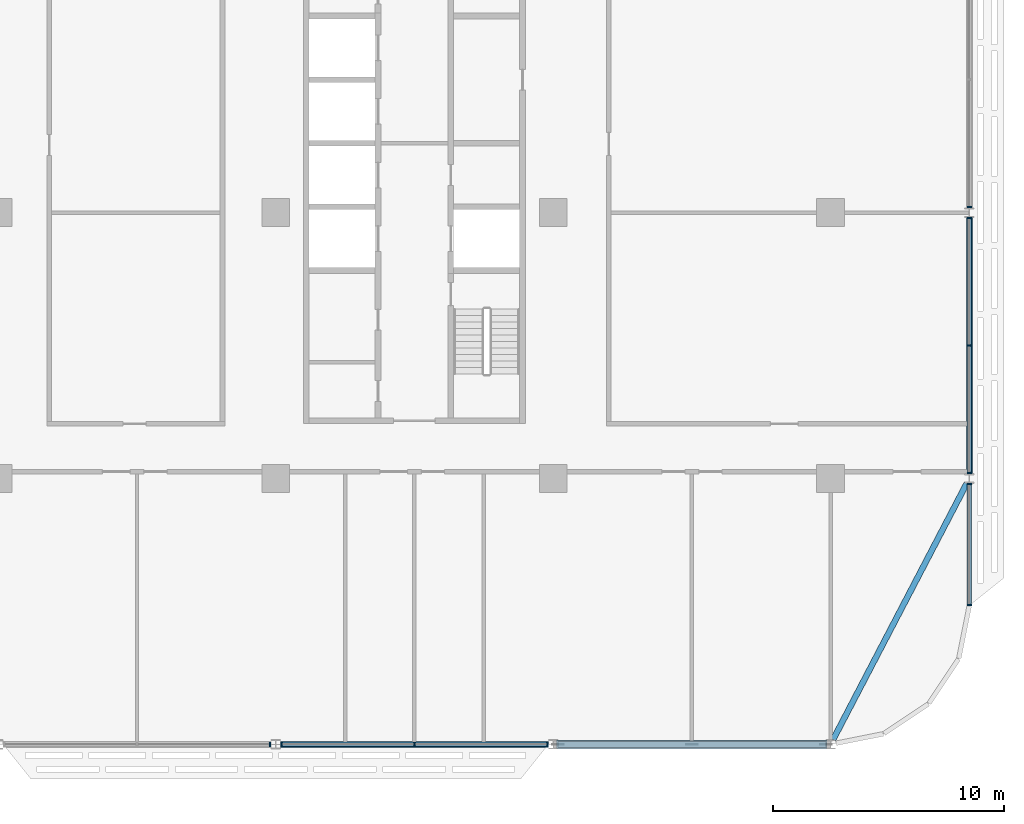
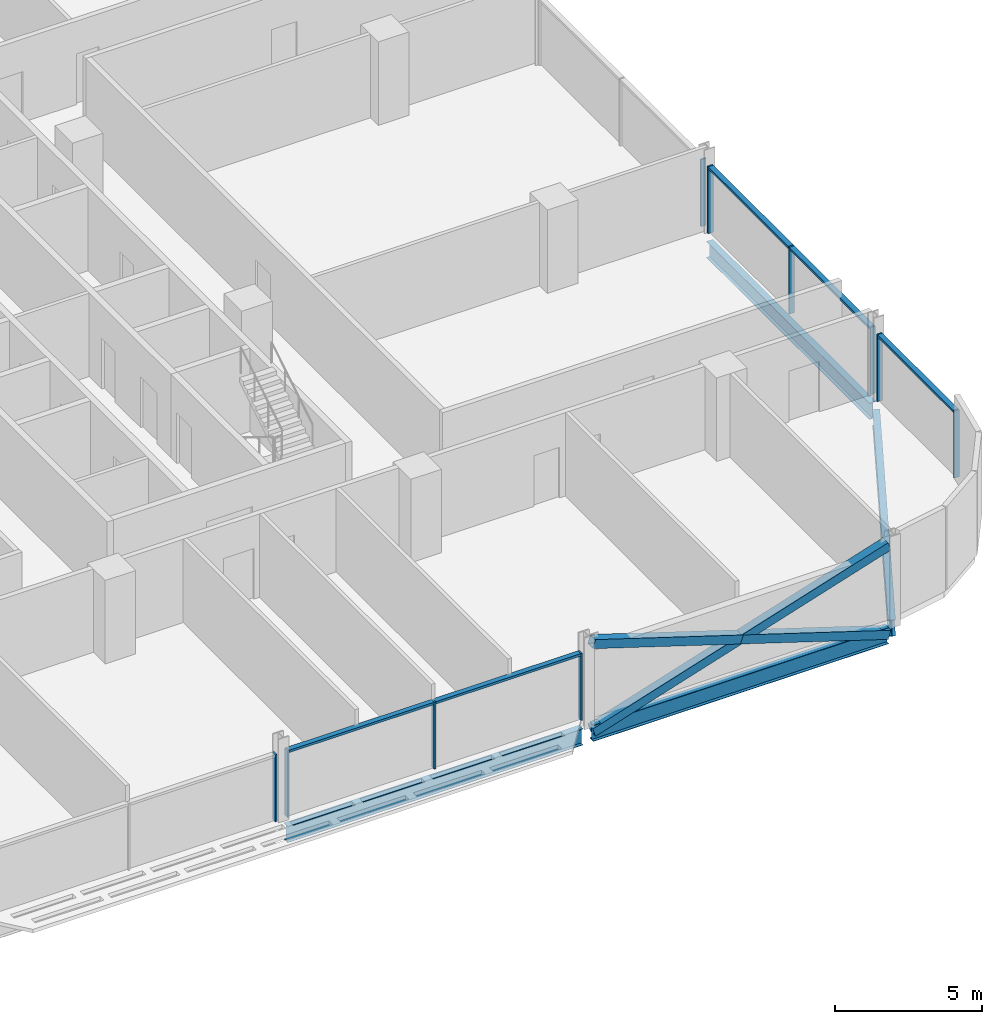
# One storey, part 8 of 27: 18 members, 4 beams, 5 elements without a shape of their own.
"""IFC4 building model written with IfcOpenShell, lengths in metres."""

import ifcopenshell
import ifcopenshell.guid

model = None  # the IFC model being written
_history = None  # IfcOwnerHistory: only IFC2X3 demands one
_inside = {}  # id of a spatial element -> (the spatial element, [elements in it])
_under = {}  # id of a project, library or spatial element -> (it, [spatial elements below it])
_declared = {}  # id of a project -> (the project, [libraries it declares])
_typed = {}  # id of a type object -> (the type object, [elements of that type])
_made_of = {}  # id of a material, layer set ... -> (it, [elements and type objects made of it])


def new_model(schema):
    """Start an empty IFC model of exactly this schema.

    Asked for "IFC4X3", IfcOpenShell would pick the latest addendum, in which some entities
    have other attributes; the version numbers below select the first issue.
    IFC2X3 requires an IfcOwnerHistory on every rooted entity: one is made here for all.
    """
    global model, _history
    if schema == "IFC4X3":
        model = ifcopenshell.file(schema_version=(4, 3, 0, 0))
    else:
        model = ifcopenshell.file(schema=schema)
    _inside.clear()
    _under.clear()
    _declared.clear()
    _typed.clear()
    _made_of.clear()
    _history = None
    if model.schema == "IFC2X3":
        org = make("IfcOrganization", Name="unknown")
        user = make(
            "IfcPersonAndOrganization",
            ThePerson=make("IfcPerson", FamilyName="unknown"),
            TheOrganization=org,
        )
        app = make(
            "IfcApplication",
            ApplicationDeveloper=org,
            Version="unknown",
            ApplicationFullName="unknown",
            ApplicationIdentifier="unknown",
        )
        _history = make(
            "IfcOwnerHistory",
            OwningUser=user,
            OwningApplication=app,
            ChangeAction="ADDED",
            CreationDate=0,
        )
    return model


def make(cls, **values):
    """One entity of the class cls with the attributes given. An attribute that is None is left unset."""
    return model.create_entity(
        cls, **{name: value for name, value in values.items() if value is not None}
    )


def rooted(cls, **values):
    """An entity with a GlobalId (a new one), such as an element, a storey or a relation."""
    return make(cls, GlobalId=ifcopenshell.guid.new(), OwnerHistory=_history, **values)


def si_unit(unit_type, name, prefix=None):
    """IfcSIUnit, for example si_unit("LENGTHUNIT", "METRE", prefix="MILLI")."""
    return make("IfcSIUnit", UnitType=unit_type, Prefix=prefix, Name=name)


def assignment(units):
    """IfcUnitAssignment: the units of a project."""
    return None if units is None else make("IfcUnitAssignment", Units=units)


def point(xyz):
    """IfcCartesianPoint."""
    return None if xyz is None else make("IfcCartesianPoint", Coordinates=xyz)


def direction(xyz):
    """IfcDirection."""
    return None if xyz is None else make("IfcDirection", DirectionRatios=xyz)


def frame(location, z_axis=None, x_axis=None):
    """IfcAxis2Placement3D, a coordinate frame: its origin and axes. An axis left out is left unset."""
    return make(
        "IfcAxis2Placement3D",
        Location=point(location),
        Axis=direction(z_axis),
        RefDirection=direction(x_axis),
    )


def frame_2d(location, x_axis=None):
    """IfcAxis2Placement2D, a coordinate frame in the plane: its origin and x axis."""
    return make(
        "IfcAxis2Placement2D", Location=point(location), RefDirection=direction(x_axis)
    )


def origin():
    """The frame at (0, 0, 0) with its axes left unset."""
    return frame((0.0, 0.0, 0.0))


def origin_2d():
    """The frame at (0, 0) in the plane with its x axis left unset."""
    return frame_2d((0.0, 0.0))


def place(relative_to, where):
    """IfcLocalPlacement: puts the frame where relative to a parent placement (None: the world)."""
    return make(
        "IfcLocalPlacement", PlacementRelTo=relative_to, RelativePlacement=where
    )


def context(
    kind, dimensions, precision=None, world=None, true_north=None, identifier=None
):
    """IfcGeometricRepresentationContext, for example the 3D "Model" context."""
    return make(
        "IfcGeometricRepresentationContext",
        ContextIdentifier=identifier,
        ContextType=kind,
        CoordinateSpaceDimension=dimensions,
        Precision=precision,
        WorldCoordinateSystem=world,
        TrueNorth=true_north,
    )


def subcontext(parent, identifier, kind, view, scale=None):
    """IfcGeometricRepresentationSubContext, for example "Body" below "Model"."""
    return make(
        "IfcGeometricRepresentationSubContext",
        ContextIdentifier=identifier,
        ContextType=kind,
        ParentContext=parent,
        TargetScale=scale,
        TargetView=view,
    )


def project(units=None, contexts=None):
    """IfcProject with its units and contexts."""
    return rooted(
        "IfcProject",
        Name="project",
        RepresentationContexts=contexts,
        UnitsInContext=assignment(units),
    )


def spatial(cls, under=None, at=None, **own):
    """A site, building, storey or space (cls), placed at a placement, below another one or the project."""
    s = rooted(cls, ObjectPlacement=at, **own)
    if under is not None:
        _under.setdefault(under.id(), (under, []))[1].append(s)
    return s


def profile(cls, at=None, kind="AREA", **sizes):
    """A parametric profile (cls). Its sizes go by their IFC names, for example OverallWidth=200.0."""
    return make(cls, ProfileType=kind, Position=at, **sizes)


def rectangle(**sizes):
    """IfcRectangleProfileDef."""
    return profile("IfcRectangleProfileDef", **sizes)


def hollow_rectangle(**sizes):
    """IfcRectangleHollowProfileDef."""
    return profile("IfcRectangleHollowProfileDef", **sizes)


def i_section(**sizes):
    """IfcIShapeProfileDef."""
    return profile("IfcIShapeProfileDef", **sizes)


def extrude(swept, where, along, depth):
    """IfcExtrudedAreaSolid: the profile swept, set in the frame where, extruded along a direction by depth."""
    return make(
        "IfcExtrudedAreaSolid",
        SweptArea=swept,
        Position=where,
        ExtrudedDirection=direction(along),
        Depth=depth,
    )


def shape(context_of_items, identifier, shape_type, items):
    """IfcShapeRepresentation: the items that make up one representation, for example the "Body"."""
    return make(
        "IfcShapeRepresentation",
        ContextOfItems=context_of_items,
        RepresentationIdentifier=identifier,
        RepresentationType=shape_type,
        Items=items,
    )


def material(Name=None, Category=None):
    """IfcMaterial."""
    return make("IfcMaterial", Name=Name, Category=Category)


def material_profile(
    of_material, cross_section, Name=None, Category=None, Priority=None
):
    """IfcMaterialProfile: a cross section and its material."""
    return make(
        "IfcMaterialProfile",
        Name=Name,
        Material=of_material,
        Profile=cross_section,
        Priority=Priority,
        Category=Category,
    )


def profile_set(profiles, Name=None, composite=None):
    """IfcMaterialProfileSet."""
    return make(
        "IfcMaterialProfileSet",
        Name=Name,
        MaterialProfiles=profiles,
        CompositeProfile=composite,
    )


def made_of(thing, what):
    """Note that an element or type object is made of a material, layer set ...; save() writes the relation."""
    if what is not None:
        _made_of.setdefault(what.id(), (what, []))[1].append(thing)
    return thing


def type_object(cls, material=None, **own):
    """A type object (cls), such as IfcWallType, which elements share."""
    return made_of(rooted(cls, **own), material)


def element(
    cls,
    number,
    at=None,
    inside=None,
    cuts=None,
    type_object=None,
    material=None,
    context=None,
    identifier="Body",
    shape_type=None,
    held_by="IfcProductDefinitionShape",
    body=None,
    shapes=None,
    **own,
):
    """One element of the class cls, such as IfcWall. Its Tag is "e" and its number.

    at: its placement. inside: the storey or other place that contains it. cuts: it is an
    opening in that element (IfcRelVoidsElement). A single representation is given by context,
    identifier, shape_type and body (its items); several are given by shapes. held_by: the class
    of the entity that holds the representations. save() writes the other relations.
    """
    e = rooted(cls, Tag="e%d" % number, ObjectPlacement=at, **own)
    if body is not None:
        shapes = [shape(context, identifier, shape_type, body)]
    if shapes is not None:
        e.Representation = make(held_by, Representations=shapes)
    if inside is not None:
        _inside.setdefault(inside.id(), (inside, []))[1].append(e)
    if cuts is not None:
        rooted(
            "IfcRelVoidsElement", RelatingBuildingElement=cuts, RelatedOpeningElement=e
        )
    if type_object is not None:
        _typed.setdefault(type_object.id(), (type_object, []))[1].append(e)
    return made_of(e, material)


def aggregate(whole, parts):
    """IfcRelAggregates: a whole, such as a stair, and the parts it consists of."""
    return rooted("IfcRelAggregates", RelatingObject=whole, RelatedObjects=parts)


def save(model, path):
    """Write the relations noted so far, then the file.

    IfcRelAggregates (storeys below a building ...), IfcRelContainedInSpatialStructure (elements
    in a storey), IfcRelDefinesByType, IfcRelAssociatesMaterial and IfcRelDeclares: one each for
    every whole, place, type object, material and project.
    """
    for whole, parts in _under.values():
        aggregate(whole, parts)
    for where, things in _inside.values():
        rooted(
            "IfcRelContainedInSpatialStructure",
            RelatedElements=things,
            RelatingStructure=where,
        )
    for kind, things in _typed.values():
        rooted("IfcRelDefinesByType", RelatedObjects=things, RelatingType=kind)
    for what, things in _made_of.values():
        rooted("IfcRelAssociatesMaterial", RelatedObjects=things, RelatingMaterial=what)
    for by, libraries in _declared.values():
        rooted("IfcRelDeclares", RelatingContext=by, RelatedDefinitions=libraries)
    model.write(path)


model = new_model("IFC4")

# Units and contexts
model_context = context("Model", 3, precision=1e-05, world=origin(), true_north=direction((0.0, 1.0)))
body_context = subcontext(model_context, "Body", "Model", "MODEL_VIEW")
ifc_project = project(units=[si_unit("LENGTHUNIT", "METRE"), si_unit("AREAUNIT", "SQUARE_METRE"), si_unit("VOLUMEUNIT", "CUBIC_METRE"), si_unit("PLANEANGLEUNIT", "RADIAN"), si_unit("MASSUNIT", "GRAM", prefix="KILO")], contexts=[model_context])

# Site, building, storey
site_placement = place(None, origin())
site = spatial("IfcSite", under=ifc_project, at=site_placement, CompositionType="ELEMENT")
building_placement = place(site_placement, origin())
building = spatial("IfcBuilding", under=site, at=building_placement, Name="Mahtab Terrace Research Tower", CompositionType="ELEMENT")
storey_placement = place(building_placement, frame((0.0, 0.0, 178.199951171875)))
storey = spatial("IfcBuildingStorey", under=building, at=storey_placement, Name="L42", CompositionType="ELEMENT", Elevation=178.199951171875)

# Members
ifc_material_1 = material(Name="Steel ASTM A500 Gr C", Category="steel")
ifc_material_profile_1 = material_profile(ifc_material_1, hollow_rectangle(XDim=0.355712890625, YDim=0.355712890625, WallThickness=0.015869140625, at=origin_2d()), Name="HSS14X14X5/8")
ifc_profile_set_1 = profile_set([ifc_material_profile_1], Name="Steel ASTM A500 Gr C")
member_type_1 = type_object("IfcMemberType", Name="HSS 14x14x5/8 brace XB141458", PredefinedType="BRACE", material=ifc_profile_set_1)
member_1_placement = place(storey_placement, frame((30.203125, -23.0, -0.61474609375), z_axis=(0.953341454971, 0.0, 0.301894137463), x_axis=(0.0, 1.0, 0.0)))
element("IfcMember", 1, at=member_1_placement, inside=storey, type_object=member_type_1, Name="Exoskeleton brace L42 18 a", PredefinedType="BRACE", context=body_context, shape_type="SweptSolid", body=[
    extrude(hollow_rectangle(XDim=0.355712890625, YDim=0.355712890625, WallThickness=0.015869140625, at=origin_2d()), origin(), (0.0, 0.0, 1.0), 12.1611328125),
])
for number, where, z_axis, x_axis, name in (
    (2, (41.796875, -23.0, -0.61474609375), (-0.953341454971, 0.0, 0.301894137463), (0.0, -1.0, 0.0), "Exoskeleton brace L42 18 b1"),
    (3, (36.0, -23.0, 1.220947265625), (-0.953341454971, 0.0, 0.301894137463), (0.0, -1.0, 0.0), "Exoskeleton brace L42 18 b2"),
):
    element("IfcMember", number, at=place(storey_placement, frame(where, z_axis=z_axis, x_axis=x_axis)), inside=storey, type_object=member_type_1, Name=name, PredefinedType="BRACE", context=body_context, shape_type="SweptSolid", body=[
        extrude(hollow_rectangle(XDim=0.355712890625, YDim=0.355712890625, WallThickness=0.015869140625, at=origin_2d()), origin(), (0.0, 0.0, 1.0), 6.08056640625),
    ])

# Curtain wall, member
ifc_material_2 = material(Name="Laboratory ribbon curtain wall")
curtain_wall_type = type_object("IfcCurtainWallType", Name="Laboratory ribbon curtain wall", PredefinedType="NOTDEFINED", material=ifc_material_2)
curtain_wall_1_placement = place(storey_placement, origin())
curtain_wall_1 = element("IfcCurtainWall", 4, at=curtain_wall_1_placement, inside=storey, type_object=curtain_wall_type, Name="EN.L42.13.27", PredefinedType="NOTDEFINED")
ifc_material_3 = material(Name="Natural anodised aluminium", Category="aluminium")
ifc_material_profile_2 = material_profile(ifc_material_3, rectangle(XDim=0.199951171875, YDim=0.06494140625, at=origin_2d()), Name="MULLION 65x200")
ifc_profile_set_2 = profile_set([ifc_material_profile_2], Name="Natural anodised aluminium")
member_type_2 = type_object("IfcMemberType", Name="Laboratory ribbon curtain wall mullion", PredefinedType="MULLION", material=ifc_profile_set_2)
member_2_placement = place(storey_placement, frame((17.759521484375, -23.0, 0.0), z_axis=(0.0, 0.0, 1.0), x_axis=(0.0, 1.0, 0.0)))
member_2 = element("IfcMember", 5, at=member_2_placement, type_object=member_type_2, Name="CWL-5 mullion 3", PredefinedType="MULLION", context=body_context, shape_type="SweptSolid", body=[
    extrude(rectangle(XDim=0.199951171875, YDim=0.06494140625, at=origin_2d()), origin(), (0.0, 0.0, 1.0), 2.78173828125),
])
aggregate(curtain_wall_1, [member_2])

# Curtain wall, members
curtain_wall_2_placement = place(storey_placement, origin())
curtain_wall_2 = element("IfcCurtainWall", 6, at=curtain_wall_2_placement, inside=storey, type_object=curtain_wall_type, Name="EN.L42.13.28", PredefinedType="NOTDEFINED")
member_3_placement = place(storey_placement, frame((18.240478515625, -23.0, 0.0), z_axis=(0.0, 0.0, 1.0), x_axis=(0.0, 1.0, 0.0)))
member_3 = element("IfcMember", 7, at=member_3_placement, type_object=member_type_2, Name="CWL-5 mullion 1", PredefinedType="MULLION", context=body_context, shape_type="SweptSolid", body=[
    extrude(rectangle(XDim=0.199951171875, YDim=0.06494140625, at=origin_2d()), origin(), (0.0, 0.0, 1.0), 2.78173828125),
])
member_4_placement = place(storey_placement, frame((24.0, -23.0, 0.0), z_axis=(0.0, 0.0, 1.0), x_axis=(0.0, 1.0, 0.0)))
member_4 = element("IfcMember", 8, at=member_4_placement, type_object=member_type_2, Name="CWL-5 mullion 2", PredefinedType="MULLION", context=body_context, shape_type="SweptSolid", body=[
    extrude(rectangle(XDim=0.199951171875, YDim=0.06494140625, at=origin_2d()), origin(), (0.0, 0.0, 1.0), 2.78173828125),
])
member_5_placement = place(storey_placement, frame((29.759521484375, -23.0, 0.0), z_axis=(0.0, 0.0, 1.0), x_axis=(0.0, 1.0, 0.0)))
member_5 = element("IfcMember", 9, at=member_5_placement, type_object=member_type_2, Name="CWL-5 mullion 3", PredefinedType="MULLION", context=body_context, shape_type="SweptSolid", body=[
    extrude(rectangle(XDim=0.199951171875, YDim=0.06494140625, at=origin_2d()), origin(), (0.0, 0.0, 1.0), 2.78173828125),
])

curtain_wall_3_placement = place(storey_placement, origin())
curtain_wall_3 = element("IfcCurtainWall", 10, at=curtain_wall_3_placement, inside=storey, type_object=curtain_wall_type, Name="EN.L42.18.34", PredefinedType="NOTDEFINED")
member_6_placement = place(storey_placement, frame((48.0, -16.967529296875, 0.0), z_axis=(0.0, 0.0, 1.0), x_axis=(-1.0, 0.0, 0.0)))
member_6 = element("IfcMember", 11, at=member_6_placement, type_object=member_type_2, Name="CWL-5 mullion 1", PredefinedType="MULLION", context=body_context, shape_type="SweptSolid", body=[
    extrude(rectangle(XDim=0.199951171875, YDim=0.06494140625, at=origin_2d()), origin(), (0.0, 0.0, 1.0), 2.78173828125),
])
member_7_placement = place(storey_placement, frame((48.0, -11.740478515625, 0.0), z_axis=(0.0, 0.0, 1.0), x_axis=(-1.0, 0.0, 0.0)))
member_7 = element("IfcMember", 12, at=member_7_placement, type_object=member_type_2, Name="CWL-5 mullion 2", PredefinedType="MULLION", context=body_context, shape_type="SweptSolid", body=[
    extrude(rectangle(XDim=0.199951171875, YDim=0.06494140625, at=origin_2d()), origin(), (0.0, 0.0, 1.0), 2.78173828125),
])

curtain_wall_4_placement = place(storey_placement, origin())
curtain_wall_4 = element("IfcCurtainWall", 13, at=curtain_wall_4_placement, inside=storey, type_object=curtain_wall_type, Name="EN.L42.18.35", PredefinedType="NOTDEFINED")
member_8_placement = place(storey_placement, frame((48.0, -11.259521484375, 0.0), z_axis=(0.0, 0.0, 1.0), x_axis=(-1.0, 0.0, 0.0)))
member_8 = element("IfcMember", 14, at=member_8_placement, type_object=member_type_2, Name="CWL-5 mullion 1", PredefinedType="MULLION", context=body_context, shape_type="SweptSolid", body=[
    extrude(rectangle(XDim=0.199951171875, YDim=0.06494140625, at=origin_2d()), origin(), (0.0, 0.0, 1.0), 2.78173828125),
])
member_9_placement = place(storey_placement, frame((48.0, -5.75, 0.0), z_axis=(0.0, 0.0, 1.0), x_axis=(-1.0, 0.0, 0.0)))
member_9 = element("IfcMember", 15, at=member_9_placement, type_object=member_type_2, Name="CWL-5 mullion 2", PredefinedType="MULLION", context=body_context, shape_type="SweptSolid", body=[
    extrude(rectangle(XDim=0.199951171875, YDim=0.06494140625, at=origin_2d()), origin(), (0.0, 0.0, 1.0), 2.78173828125),
])
member_10_placement = place(storey_placement, frame((48.0, -0.240478515625, 0.0), z_axis=(0.0, 0.0, 1.0), x_axis=(-1.0, 0.0, 0.0)))
member_10 = element("IfcMember", 16, at=member_10_placement, type_object=member_type_2, Name="CWL-5 mullion 3", PredefinedType="MULLION", context=body_context, shape_type="SweptSolid", body=[
    extrude(rectangle(XDim=0.199951171875, YDim=0.06494140625, at=origin_2d()), origin(), (0.0, 0.0, 1.0), 2.78173828125),
])

# Curtain wall, member
curtain_wall_5_placement = place(storey_placement, origin())
curtain_wall_5 = element("IfcCurtainWall", 17, at=curtain_wall_5_placement, inside=storey, type_object=curtain_wall_type, Name="EN.L42.18.36", PredefinedType="NOTDEFINED")
member_11_placement = place(storey_placement, frame((48.0, 0.240478515625, 0.0), z_axis=(0.0, 0.0, 1.0), x_axis=(-1.0, 0.0, 0.0)))
member_11 = element("IfcMember", 18, at=member_11_placement, type_object=member_type_2, Name="CWL-5 mullion 1", PredefinedType="MULLION", context=body_context, shape_type="SweptSolid", body=[
    extrude(rectangle(XDim=0.199951171875, YDim=0.06494140625, at=origin_2d()), origin(), (0.0, 0.0, 1.0), 2.78173828125),
])
aggregate(curtain_wall_5, [member_11])

# Member
ifc_material_profile_3 = material_profile(ifc_material_3, rectangle(XDim=0.199951171875, YDim=0.10009765625, at=origin_2d()), Name="TRANSOM 100x200")
ifc_profile_set_3 = profile_set([ifc_material_profile_3], Name="Natural anodised aluminium")
member_type_3 = type_object("IfcMemberType", Name="Laboratory ribbon curtain wall transom", PredefinedType="USERDEFINED", material=ifc_profile_set_3)
member_12_placement = place(storey_placement, frame((18.27294921875, -23.0, 2.73193359375), z_axis=(1.0, 0.0, 0.0), x_axis=(0.0, 1.0, 0.0)))
member_12 = element("IfcMember", 19, at=member_12_placement, type_object=member_type_3, Name="CWL-5 transom 1", ObjectType="TRANSOM", PredefinedType="USERDEFINED", context=body_context, shape_type="SweptSolid", body=[
    extrude(rectangle(XDim=0.199951171875, YDim=0.10009765625, at=origin_2d()), origin(), (0.0, 0.0, 1.0), 5.694580078125),
])

member_13_placement = place(storey_placement, frame((24.032470703125, -23.0, 2.73193359375), z_axis=(1.0, 0.0, 0.0), x_axis=(0.0, 1.0, 0.0)))
member_13 = element("IfcMember", 20, at=member_13_placement, type_object=member_type_3, Name="CWL-5 transom 2", ObjectType="TRANSOM", PredefinedType="USERDEFINED", context=body_context, shape_type="SweptSolid", body=[
    extrude(rectangle(XDim=0.199951171875, YDim=0.10009765625, at=origin_2d()), origin(), (0.0, 0.0, 1.0), 5.694580078125),
])

aggregate(curtain_wall_2, [member_3, member_4, member_5, member_12, member_13])

member_14_placement = place(storey_placement, frame((48.0, -16.93505859375, 2.73193359375), z_axis=(0.0, 1.0, 0.0), x_axis=(-1.0, 0.0, 0.0)))
member_14 = element("IfcMember", 21, at=member_14_placement, type_object=member_type_3, Name="CWL-5 transom 1", ObjectType="TRANSOM", PredefinedType="USERDEFINED", context=body_context, shape_type="SweptSolid", body=[
    extrude(rectangle(XDim=0.199951171875, YDim=0.10009765625, at=origin_2d()), origin(), (0.0, 0.0, 1.0), 5.162109375),
])

aggregate(curtain_wall_3, [member_6, member_7, member_14])

member_15_placement = place(storey_placement, frame((48.0, -11.22705078125, 2.73193359375), z_axis=(0.0, 1.0, 0.0), x_axis=(-1.0, 0.0, 0.0)))
member_15 = element("IfcMember", 22, at=member_15_placement, type_object=member_type_3, Name="CWL-5 transom 1", ObjectType="TRANSOM", PredefinedType="USERDEFINED", context=body_context, shape_type="SweptSolid", body=[
    extrude(rectangle(XDim=0.199951171875, YDim=0.10009765625, at=origin_2d()), origin(), (0.0, 0.0, 1.0), 5.444580078125),
])

member_16_placement = place(storey_placement, frame((48.0, -5.717529296875, 2.73193359375), z_axis=(0.0, 1.0, 0.0), x_axis=(-1.0, 0.0, 0.0)))
member_16 = element("IfcMember", 23, at=member_16_placement, type_object=member_type_3, Name="CWL-5 transom 2", ObjectType="TRANSOM", PredefinedType="USERDEFINED", context=body_context, shape_type="SweptSolid", body=[
    extrude(rectangle(XDim=0.199951171875, YDim=0.10009765625, at=origin_2d()), origin(), (0.0, 0.0, 1.0), 5.444580078125),
])

aggregate(curtain_wall_4, [member_8, member_9, member_10, member_15, member_16])

# Beams
ifc_material_4 = material(Name="Steel ASTM A992 Gr 50", Category="steel")
ifc_material_profile_4 = material_profile(ifc_material_4, i_section(OverallWidth=0.25390625, OverallDepth=0.67822265625, WebThickness=0.01171875, FlangeThickness=0.016357421875, at=origin_2d()), Name="W27X84")
ifc_profile_set_4 = profile_set([ifc_material_profile_4], Name="Steel ASTM A992 Gr 50")
beam_type = type_object("IfcBeamType", Name="W27x84 beam BS2784", PredefinedType="BEAM", material=ifc_profile_set_4)
for number, where, z_axis, x_axis, name in (
    (24, (18.203125, -23.0, -0.678955078125), (1.0, 0.0, 0.0), (0.0, 1.0, 0.0), "Spandrel beam L42 17"),
    (25, (30.203125, -23.0, -0.678955078125), (1.0, 0.0, 0.0), (0.0, 1.0, 0.0), "Spandrel beam L42 18"),
):
    element("IfcBeam", number, at=place(storey_placement, frame(where, z_axis=z_axis, x_axis=x_axis)), inside=storey, type_object=beam_type, Name=name, PredefinedType="BEAM", context=body_context, shape_type="SweptSolid", body=[
        extrude(i_section(OverallWidth=0.25390625, OverallDepth=0.67822265625, WebThickness=0.01171875, FlangeThickness=0.016357421875, at=origin_2d()), origin(), (0.0, 0.0, 1.0), 11.59375),
    ])
beam_1_placement = place(storey_placement, frame((42.108642578125, -22.791748046875, -0.678955078125), z_axis=(0.462567341525, 0.886584149731, 0.0), x_axis=(-0.886584149731, 0.462567341525, 0.0)))
element("IfcBeam", 26, at=beam_1_placement, inside=storey, type_object=beam_type, Name="Spandrel beam L42 19", PredefinedType="BEAM", context=body_context, shape_type="SweptSolid", body=[
    extrude(i_section(OverallWidth=0.25390625, OverallDepth=0.67822265625, WebThickness=0.01171875, FlangeThickness=0.016357421875, at=origin_2d()), origin(), (0.0, 0.0, 1.0), 12.50146484375),
])
beam_2_placement = place(storey_placement, frame((48.0, -11.291748046875, -0.678955078125), z_axis=(0.0, 1.0, 0.0), x_axis=(-1.0, 0.0, 0.0)))
element("IfcBeam", 27, at=beam_2_placement, inside=storey, type_object=beam_type, Name="Spandrel beam L42 20", PredefinedType="BEAM", context=body_context, shape_type="SweptSolid", body=[
    extrude(i_section(OverallWidth=0.25390625, OverallDepth=0.67822265625, WebThickness=0.01171875, FlangeThickness=0.016357421875, at=origin_2d()), origin(), (0.0, 0.0, 1.0), 11.08349609375),
])

save(model, "model.ifc")
